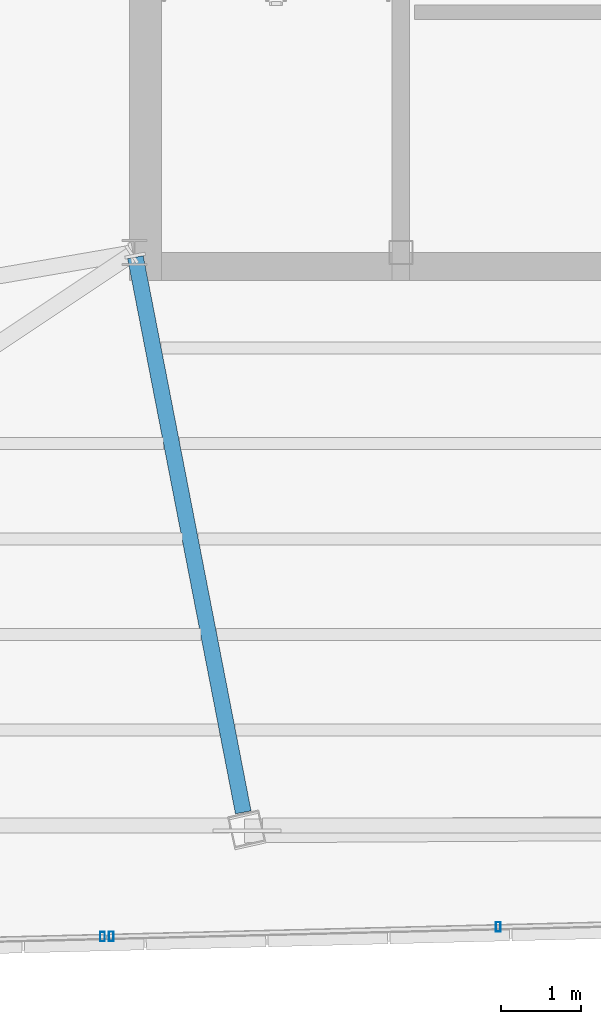
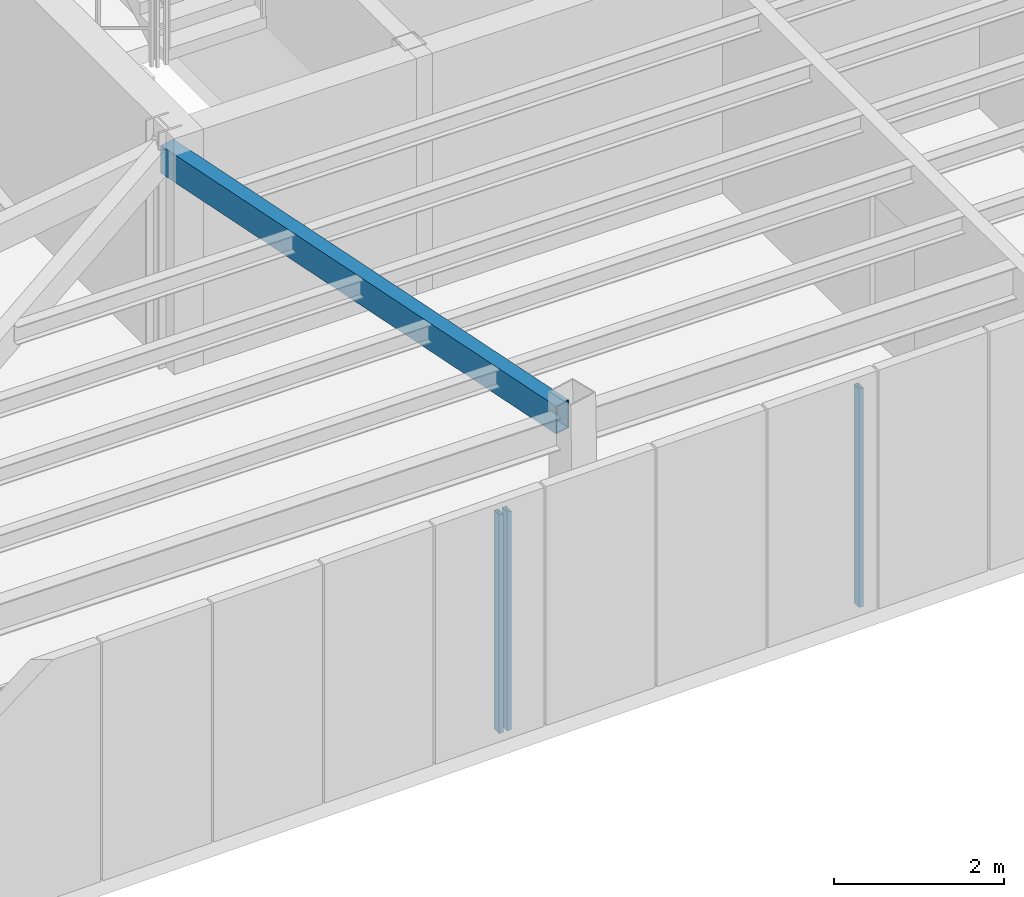
# One storey, part 11 of 44: 3 members, 1 beam, 2 elements without a shape of their own.
"""IFC4 building model written with IfcOpenShell, lengths in metres."""

import ifcopenshell
import ifcopenshell.guid

model = None  # the IFC model being written
_history = None  # IfcOwnerHistory: only IFC2X3 demands one
_inside = {}  # id of a spatial element -> (the spatial element, [elements in it])
_under = {}  # id of a project, library or spatial element -> (it, [spatial elements below it])
_declared = {}  # id of a project -> (the project, [libraries it declares])
_typed = {}  # id of a type object -> (the type object, [elements of that type])
_made_of = {}  # id of a material, layer set ... -> (it, [elements and type objects made of it])


def new_model(schema):
    """Start an empty IFC model of exactly this schema.

    Asked for "IFC4X3", IfcOpenShell would pick the latest addendum, in which some entities
    have other attributes; the version numbers below select the first issue.
    IFC2X3 requires an IfcOwnerHistory on every rooted entity: one is made here for all.
    """
    global model, _history
    if schema == "IFC4X3":
        model = ifcopenshell.file(schema_version=(4, 3, 0, 0))
    else:
        model = ifcopenshell.file(schema=schema)
    _inside.clear()
    _under.clear()
    _declared.clear()
    _typed.clear()
    _made_of.clear()
    _history = None
    if model.schema == "IFC2X3":
        org = make("IfcOrganization", Name="unknown")
        user = make(
            "IfcPersonAndOrganization",
            ThePerson=make("IfcPerson", FamilyName="unknown"),
            TheOrganization=org,
        )
        app = make(
            "IfcApplication",
            ApplicationDeveloper=org,
            Version="unknown",
            ApplicationFullName="unknown",
            ApplicationIdentifier="unknown",
        )
        _history = make(
            "IfcOwnerHistory",
            OwningUser=user,
            OwningApplication=app,
            ChangeAction="ADDED",
            CreationDate=0,
        )
    return model


def make(cls, **values):
    """One entity of the class cls with the attributes given. An attribute that is None is left unset."""
    return model.create_entity(
        cls, **{name: value for name, value in values.items() if value is not None}
    )


def rooted(cls, **values):
    """An entity with a GlobalId (a new one), such as an element, a storey or a relation."""
    return make(cls, GlobalId=ifcopenshell.guid.new(), OwnerHistory=_history, **values)


def si_unit(unit_type, name, prefix=None):
    """IfcSIUnit, for example si_unit("LENGTHUNIT", "METRE", prefix="MILLI")."""
    return make("IfcSIUnit", UnitType=unit_type, Prefix=prefix, Name=name)


def assignment(units):
    """IfcUnitAssignment: the units of a project."""
    return None if units is None else make("IfcUnitAssignment", Units=units)


def point(xyz):
    """IfcCartesianPoint."""
    return None if xyz is None else make("IfcCartesianPoint", Coordinates=xyz)


def direction(xyz):
    """IfcDirection."""
    return None if xyz is None else make("IfcDirection", DirectionRatios=xyz)


def frame(location, z_axis=None, x_axis=None):
    """IfcAxis2Placement3D, a coordinate frame: its origin and axes. An axis left out is left unset."""
    return make(
        "IfcAxis2Placement3D",
        Location=point(location),
        Axis=direction(z_axis),
        RefDirection=direction(x_axis),
    )


def frame_2d(location, x_axis=None):
    """IfcAxis2Placement2D, a coordinate frame in the plane: its origin and x axis."""
    return make(
        "IfcAxis2Placement2D", Location=point(location), RefDirection=direction(x_axis)
    )


def origin():
    """The frame at (0, 0, 0) with its axes left unset."""
    return frame((0.0, 0.0, 0.0))


def origin_2d():
    """The frame at (0, 0) in the plane with its x axis left unset."""
    return frame_2d((0.0, 0.0))


def place(relative_to, where):
    """IfcLocalPlacement: puts the frame where relative to a parent placement (None: the world)."""
    return make(
        "IfcLocalPlacement", PlacementRelTo=relative_to, RelativePlacement=where
    )


def context(
    kind, dimensions, precision=None, world=None, true_north=None, identifier=None
):
    """IfcGeometricRepresentationContext, for example the 3D "Model" context."""
    return make(
        "IfcGeometricRepresentationContext",
        ContextIdentifier=identifier,
        ContextType=kind,
        CoordinateSpaceDimension=dimensions,
        Precision=precision,
        WorldCoordinateSystem=world,
        TrueNorth=true_north,
    )


def subcontext(parent, identifier, kind, view, scale=None):
    """IfcGeometricRepresentationSubContext, for example "Body" below "Model"."""
    return make(
        "IfcGeometricRepresentationSubContext",
        ContextIdentifier=identifier,
        ContextType=kind,
        ParentContext=parent,
        TargetScale=scale,
        TargetView=view,
    )


def project(units=None, contexts=None):
    """IfcProject with its units and contexts."""
    return rooted(
        "IfcProject",
        Name="project",
        RepresentationContexts=contexts,
        UnitsInContext=assignment(units),
    )


def spatial(cls, under=None, at=None, **own):
    """A site, building, storey or space (cls), placed at a placement, below another one or the project."""
    s = rooted(cls, ObjectPlacement=at, **own)
    if under is not None:
        _under.setdefault(under.id(), (under, []))[1].append(s)
    return s


def profile(cls, at=None, kind="AREA", **sizes):
    """A parametric profile (cls). Its sizes go by their IFC names, for example OverallWidth=200.0."""
    return make(cls, ProfileType=kind, Position=at, **sizes)


def hollow_rectangle(**sizes):
    """IfcRectangleHollowProfileDef."""
    return profile("IfcRectangleHollowProfileDef", **sizes)


def extrude(swept, where, along, depth):
    """IfcExtrudedAreaSolid: the profile swept, set in the frame where, extruded along a direction by depth."""
    return make(
        "IfcExtrudedAreaSolid",
        SweptArea=swept,
        Position=where,
        ExtrudedDirection=direction(along),
        Depth=depth,
    )


def shape(context_of_items, identifier, shape_type, items):
    """IfcShapeRepresentation: the items that make up one representation, for example the "Body"."""
    return make(
        "IfcShapeRepresentation",
        ContextOfItems=context_of_items,
        RepresentationIdentifier=identifier,
        RepresentationType=shape_type,
        Items=items,
    )


def source(mapping_origin, context_of_items, identifier, shape_type, items):
    """IfcRepresentationMap: a shape defined once, which mapped items show again and again."""
    return make(
        "IfcRepresentationMap",
        MappingOrigin=mapping_origin,
        MappedRepresentation=shape(context_of_items, identifier, shape_type, items),
    )


def transform(
    local_origin,
    x_axis=None,
    y_axis=None,
    z_axis=None,
    scale=None,
    scale2=None,
    scale3=None,
    uniform=True,
):
    """IfcCartesianTransformationOperator3D, or its non-uniform kind. x_axis, y_axis, z_axis: its Axis1, 2, 3."""
    if uniform:
        return make(
            "IfcCartesianTransformationOperator3D",
            Axis1=direction(x_axis),
            Axis2=direction(y_axis),
            LocalOrigin=point(local_origin),
            Scale=scale,
            Axis3=direction(z_axis),
        )
    return make(
        "IfcCartesianTransformationOperator3DnonUniform",
        Axis1=direction(x_axis),
        Axis2=direction(y_axis),
        LocalOrigin=point(local_origin),
        Scale=scale,
        Axis3=direction(z_axis),
        Scale2=scale2,
        Scale3=scale3,
    )


def mapped(mapping_source, mapping_target):
    """IfcMappedItem: shows the shape of a source again, moved by a transform."""
    return make(
        "IfcMappedItem", MappingSource=mapping_source, MappingTarget=mapping_target
    )


def material(Name=None, Category=None):
    """IfcMaterial."""
    return make("IfcMaterial", Name=Name, Category=Category)


def material_profile(
    of_material, cross_section, Name=None, Category=None, Priority=None
):
    """IfcMaterialProfile: a cross section and its material."""
    return make(
        "IfcMaterialProfile",
        Name=Name,
        Material=of_material,
        Profile=cross_section,
        Priority=Priority,
        Category=Category,
    )


def profile_set(profiles, Name=None, composite=None):
    """IfcMaterialProfileSet."""
    return make(
        "IfcMaterialProfileSet",
        Name=Name,
        MaterialProfiles=profiles,
        CompositeProfile=composite,
    )


def made_of(thing, what):
    """Note that an element or type object is made of a material, layer set ...; save() writes the relation."""
    if what is not None:
        _made_of.setdefault(what.id(), (what, []))[1].append(thing)
    return thing


def type_object(cls, material=None, **own):
    """A type object (cls), such as IfcWallType, which elements share."""
    return made_of(rooted(cls, **own), material)


def type_shapes(of_type, sources):
    """Give a type object the sources (RepresentationMaps) that its elements show as mapped items."""
    of_type.RepresentationMaps = sources


def element(
    cls,
    number,
    at=None,
    inside=None,
    cuts=None,
    type_object=None,
    material=None,
    context=None,
    identifier="Body",
    shape_type=None,
    held_by="IfcProductDefinitionShape",
    body=None,
    shapes=None,
    **own,
):
    """One element of the class cls, such as IfcWall. Its Tag is "e" and its number.

    at: its placement. inside: the storey or other place that contains it. cuts: it is an
    opening in that element (IfcRelVoidsElement). A single representation is given by context,
    identifier, shape_type and body (its items); several are given by shapes. held_by: the class
    of the entity that holds the representations. save() writes the other relations.
    """
    e = rooted(cls, Tag="e%d" % number, ObjectPlacement=at, **own)
    if body is not None:
        shapes = [shape(context, identifier, shape_type, body)]
    if shapes is not None:
        e.Representation = make(held_by, Representations=shapes)
    if inside is not None:
        _inside.setdefault(inside.id(), (inside, []))[1].append(e)
    if cuts is not None:
        rooted(
            "IfcRelVoidsElement", RelatingBuildingElement=cuts, RelatedOpeningElement=e
        )
    if type_object is not None:
        _typed.setdefault(type_object.id(), (type_object, []))[1].append(e)
    return made_of(e, material)


def aggregate(whole, parts):
    """IfcRelAggregates: a whole, such as a stair, and the parts it consists of."""
    return rooted("IfcRelAggregates", RelatingObject=whole, RelatedObjects=parts)


def save(model, path):
    """Write the relations noted so far, then the file.

    IfcRelAggregates (storeys below a building ...), IfcRelContainedInSpatialStructure (elements
    in a storey), IfcRelDefinesByType, IfcRelAssociatesMaterial and IfcRelDeclares: one each for
    every whole, place, type object, material and project.
    """
    for whole, parts in _under.values():
        aggregate(whole, parts)
    for where, things in _inside.values():
        rooted(
            "IfcRelContainedInSpatialStructure",
            RelatedElements=things,
            RelatingStructure=where,
        )
    for kind, things in _typed.values():
        rooted("IfcRelDefinesByType", RelatedObjects=things, RelatingType=kind)
    for what, things in _made_of.values():
        rooted("IfcRelAssociatesMaterial", RelatedObjects=things, RelatingMaterial=what)
    for by, libraries in _declared.values():
        rooted("IfcRelDeclares", RelatingContext=by, RelatedDefinitions=libraries)
    model.write(path)


model = new_model("IFC4")

# Units and contexts
model_context = context("Model", 3, precision=1e-05, world=origin(), true_north=direction((0.0, 1.0)))
body_context = subcontext(model_context, "Body", "Model", "MODEL_VIEW")
ifc_project = project(units=[si_unit("LENGTHUNIT", "METRE"), si_unit("AREAUNIT", "SQUARE_METRE"), si_unit("VOLUMEUNIT", "CUBIC_METRE"), si_unit("PLANEANGLEUNIT", "RADIAN"), si_unit("MASSUNIT", "GRAM", prefix="KILO")], contexts=[model_context])

# Site, building, storey
site_placement = place(None, origin())
site = spatial("IfcSite", under=ifc_project, at=site_placement, CompositionType="ELEMENT")
building_placement = place(site_placement, origin())
building = spatial("IfcBuilding", under=site, at=building_placement, Name="Caelisora Broadcast Tower", CompositionType="ELEMENT")
storey_placement = place(building_placement, frame((0.0, 0.0, 296.60009765625)))
storey = spatial("IfcBuildingStorey", under=building, at=storey_placement, Name="L78", CompositionType="ELEMENT", Elevation=296.60009765625)

# Beam
ifc_material_1 = material(Name="Steel Grade 350 (AS/NZS 1163 C350L0)", Category="steel")
ifc_material_profile_1 = material_profile(ifc_material_1, hollow_rectangle(XDim=0.199951171875, YDim=0.39990234375, WallThickness=0.012451171875, at=origin_2d()), Name="Steel Grade 350 (AS/NZS 1163 C350L0)")
ifc_profile_set_1 = profile_set([ifc_material_profile_1], Name="Steel Grade 350 (AS/NZS 1163 C350L0)")
beam_type = type_object("IfcBeamType", Name="PG07", PredefinedType="BEAM", material=ifc_profile_set_1)
shared_shape_1 = source(origin(), body_context, "Body", "SweptSolid", [
    extrude(hollow_rectangle(XDim=0.199951171875, YDim=0.39990234375, WallThickness=0.012451171875, at=origin_2d()), origin(), (0.0, 0.0, 1.0), 7.111328125),
])
type_shapes(beam_type, [shared_shape_1])
beam_placement = place(storey_placement, frame((30.511474609375, 17.341064453125, 2.949951171875), z_axis=(0.190712522184, -0.981645931017, 0.0), x_axis=(0.981645931017, 0.190712522184, 0.0)))
element("IfcBeam", 1, at=beam_placement, inside=storey, type_object=beam_type, Name="L78 beam PG07", PredefinedType="BEAM", context=body_context, shape_type="MappedRepresentation", body=[
    mapped(shared_shape_1, transform((0.0, 0.0, 0.0), scale=1.0)),
])

# Curtain wall, members
ifc_material_2 = material(Name="Unitised Aluminium Insulated Shadow-Box Spandrel Curtain Wall", Category="aluminium")
curtain_wall_type = type_object("IfcCurtainWallType", Name="CW-SP3", PredefinedType="NOTDEFINED", material=ifc_material_2)
curtain_wall_1_placement = place(storey_placement, origin())
curtain_wall_1 = element("IfcCurtainWall", 2, at=curtain_wall_1_placement, inside=storey, type_object=curtain_wall_type, Name="L78 curtain wall CW-SP3", PredefinedType="NOTDEFINED")
ifc_material_3 = material(Name="Aluminium 6063-T6 Anodised Terracotta Bronze", Category="aluminium")
ifc_material_profile_2 = material_profile(ifc_material_3, hollow_rectangle(XDim=0.06005859375, YDim=0.1201171875, WallThickness=0.0029296875, at=origin_2d()), Name="Aluminium 6063-T6 Anodised Terracotta Bronze")
ifc_profile_set_2 = profile_set([ifc_material_profile_2], Name="Aluminium 6063-T6 Anodised Terracotta Bronze")
member_type = type_object("IfcMemberType", Name="CWM-04", PredefinedType="MULLION", material=ifc_profile_set_2)
shared_shape_2 = source(origin(), body_context, "Body", "SweptSolid", [
    extrude(hollow_rectangle(XDim=0.06005859375, YDim=0.1201171875, WallThickness=0.0029296875, at=origin_2d()), origin(), (0.0, 0.0, 1.0), 3.14990234375),
])
type_shapes(member_type, [shared_shape_2])
member_1_placement = place(storey_placement, frame((35.073486328125, 8.920654296875, 0.0), z_axis=(0.0, 0.0, 1.0), x_axis=(1.0, 0.0, 0.0)))
member_1 = element("IfcMember", 3, at=member_1_placement, type_object=member_type, Name="L78-CW-B06 mullion #2", PredefinedType="MULLION", context=body_context, shape_type="MappedRepresentation", body=[
    mapped(shared_shape_2, transform((0.0, 0.0, 0.0), scale=1.0)),
])
member_2_placement = place(storey_placement, frame((30.207275390625, 8.80029296875, 0.0), z_axis=(0.0, 0.0, 1.0), x_axis=(1.0, 0.0, 0.0)))
member_2 = element("IfcMember", 4, at=member_2_placement, type_object=member_type, Name="L78-CW-B06 mullion #3", PredefinedType="MULLION", context=body_context, shape_type="MappedRepresentation", body=[
    mapped(shared_shape_2, transform((0.0, 0.0, 0.0), scale=1.0)),
])
aggregate(curtain_wall_1, [member_1, member_2])

# Curtain wall, member
curtain_wall_2_placement = place(storey_placement, origin())
curtain_wall_2 = element("IfcCurtainWall", 5, at=curtain_wall_2_placement, inside=storey, type_object=curtain_wall_type, Name="L78 curtain wall CW-SP3", PredefinedType="NOTDEFINED")
member_3_placement = place(storey_placement, frame((30.097412109375, 8.797607421875, 0.0), z_axis=(0.0, 0.0, 1.0), x_axis=(1.0, 0.0, 0.0)))
member_3 = element("IfcMember", 6, at=member_3_placement, type_object=member_type, Name="L78-CW-B07 mullion #0", PredefinedType="MULLION", context=body_context, shape_type="MappedRepresentation", body=[
    mapped(shared_shape_2, transform((0.0, 0.0, 0.0), scale=1.0)),
])
aggregate(curtain_wall_2, [member_3])

save(model, "model.ifc")
